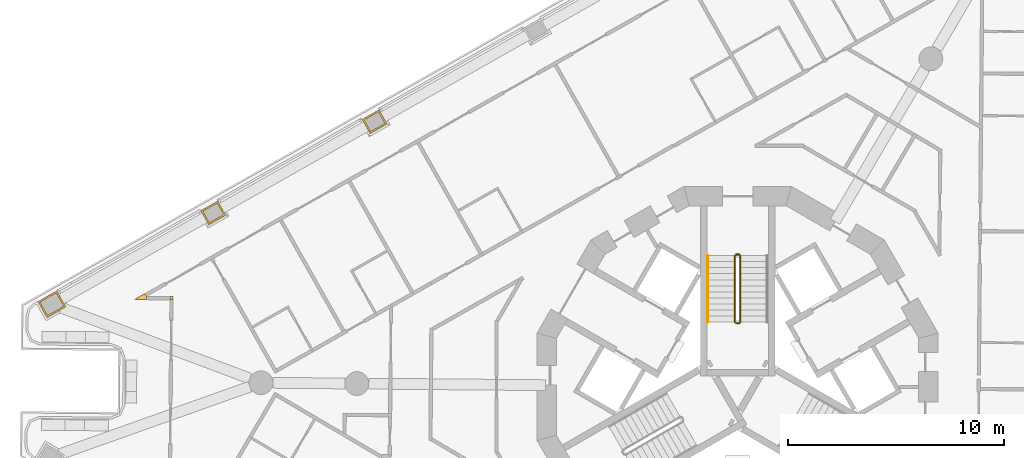
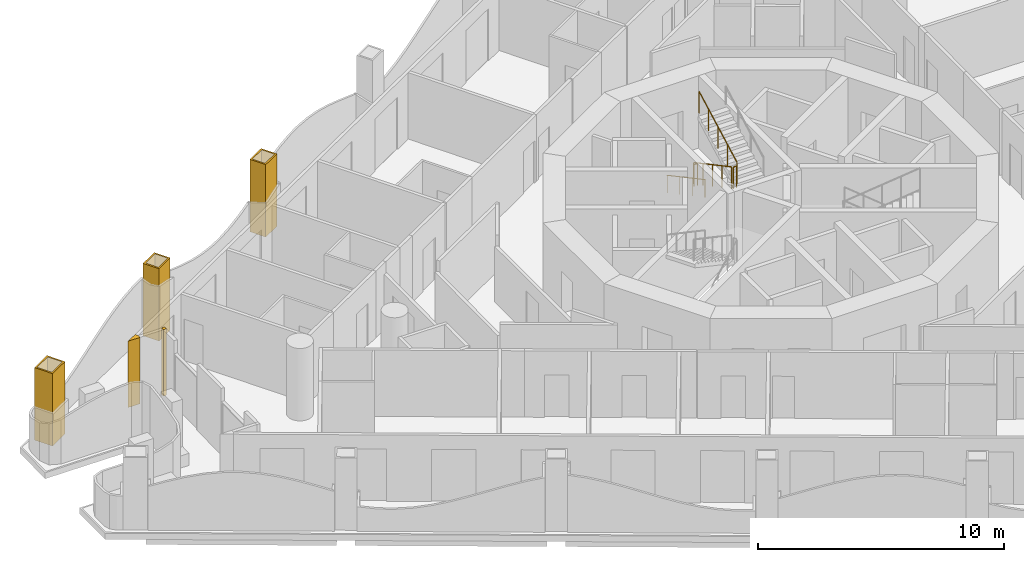
# One storey, part 15 of 17: 5 coverings, 5 railings.
"""IFC4 building model written with IfcOpenShell, lengths in metres."""

from ifc_helpers import new_model, si_unit, direction, frame, origin, origin_2d, place, context, subcontext, project, spatial, polyline, circle, outline, extrude, material, layer, layer_set, type_object, element, save


model = new_model("IFC4")

# Units and contexts
model_context = context("Model", 3, precision=1e-05, world=origin(), true_north=direction((0.0, 1.0)))
body_context = subcontext(model_context, "Body", "Model", "MODEL_VIEW")
ifc_project = project(units=[si_unit("LENGTHUNIT", "METRE"), si_unit("AREAUNIT", "SQUARE_METRE"), si_unit("VOLUMEUNIT", "CUBIC_METRE"), si_unit("PLANEANGLEUNIT", "RADIAN"), si_unit("MASSUNIT", "GRAM", prefix="KILO")], contexts=[model_context])

# Site, building, storey
site_placement = place(None, origin())
site = spatial("IfcSite", under=ifc_project, at=site_placement, CompositionType="ELEMENT")
building_placement = place(site_placement, origin())
building = spatial("IfcBuilding", under=site, at=building_placement, Name="Trine Commons Tower", CompositionType="ELEMENT")
storey_placement = place(building_placement, frame((0.0, 0.0, 182.699951171875)))
storey = spatial("IfcBuildingStorey", under=building, at=storey_placement, Name="L47", CompositionType="ELEMENT", Elevation=182.699951171875)

# Coverings
ifc_material_1 = material(Name="Aluminium-framed insulated wall panel", Category="aluminium")
ifc_layer_1 = layer(ifc_material_1, 0.14990234375)
ifc_layer_set_1 = layer_set([ifc_layer_1], Name="Aluminium-framed insulated wall panel")
covering_type_1 = type_object("IfcCoveringType", Name="Glazing corner post, aluminium", PredefinedType="CLADDING", material=ifc_layer_set_1)
covering_1_placement = place(storey_placement, origin())
element("IfcCovering", 1, at=covering_1_placement, inside=storey, type_object=covering_type_1, Name="Glazing corner post 5-03", PredefinedType="CLADDING", context=body_context, shape_type="SweptSolid", body=[
    extrude(outline(polyline([(53.89892578125, 66.517822265625), (53.900390625, 66.66796875), (53.750244140625, 66.669189453125), (53.7490234375, 66.519287109375), (53.89892578125, 66.517822265625)])), origin(), (0.0, 0.0, 1.0), 3.300048828125),
])
covering_2_placement = place(storey_placement, origin())
element("IfcCovering", 2, at=covering_2_placement, inside=storey, type_object=covering_type_1, Name="Glazing corner post 5-04", PredefinedType="CLADDING", context=body_context, shape_type="SweptSolid", body=[
    extrude(outline(polyline([(52.663330078125, 66.52880859375), (52.66455078125, 66.6787109375), (52.5908203125, 66.809326171875), (52.103515625, 66.53369140625), (52.663330078125, 66.52880859375)])), origin(), (0.0, 0.0, 1.0), 3.300048828125),
])
ifc_material_2 = material(Name="Limestone, honed", Category="masonry")
ifc_layer_2 = layer(ifc_material_2, 0.074951171875)
ifc_layer_set_2 = layer_set([ifc_layer_2], Name="Limestone, honed")
covering_type_2 = type_object("IfcCoveringType", Name="Limestone column cladding 75", PredefinedType="CLADDING", material=ifc_layer_set_2)
covering_3_placement = place(storey_placement, origin())
element("IfcCovering", 3, at=covering_3_placement, inside=storey, type_object=covering_type_2, Name="Limestone pier cladding 5-08", PredefinedType="CLADDING", context=body_context, shape_type="SweptSolid", body=[
    extrude(outline(polyline([(48.94091796875, 66.197509765625), (48.522216796875, 66.9375), (47.65185546875, 66.445068359375), (48.0703125, 65.705078125), (48.94091796875, 66.197509765625)]), holes=[polyline([(48.83837890625, 66.22607421875), (48.493896484375, 66.835205078125), (47.754150390625, 66.41650390625), (48.0986328125, 65.807373046875), (48.83837890625, 66.22607421875)])]), origin(), (0.0, 0.0, 1.0), 3.60009765625),
])
covering_4_placement = place(storey_placement, origin())
element("IfcCovering", 4, at=covering_4_placement, inside=storey, type_object=covering_type_2, Name="Limestone pier cladding 5-09", PredefinedType="CLADDING", context=body_context, shape_type="SweptSolid", body=[
    extrude(outline(polyline([(56.33203125, 70.43701171875), (55.962890625, 71.089599609375), (55.179443359375, 70.646484375), (55.548828125, 69.99365234375), (56.33203125, 70.43701171875)]), holes=[polyline([(56.22998046875, 70.46533203125), (55.9345703125, 70.987548828125), (55.28173828125, 70.6181640625), (55.5771484375, 70.095947265625), (56.22998046875, 70.46533203125)])]), origin(), (0.0, 0.0, 1.0), 3.60009765625),
])
covering_5_placement = place(storey_placement, origin())
element("IfcCovering", 5, at=covering_5_placement, inside=storey, type_object=covering_type_2, Name="Limestone pier cladding 5-10", PredefinedType="CLADDING", context=body_context, shape_type="SweptSolid", body=[
    extrude(outline(polyline([(63.79150390625, 74.6572265625), (63.422119140625, 75.31005859375), (62.638916015625, 74.86669921875), (63.00830078125, 74.214111328125), (63.79150390625, 74.6572265625)]), holes=[polyline([(63.689208984375, 74.685546875), (63.393798828125, 75.207763671875), (62.7412109375, 74.83837890625), (63.03662109375, 74.316162109375), (63.689208984375, 74.685546875)])]), origin(), (0.0, 0.0, 1.0), 3.60009765625),
])

# Railings
ifc_material_3 = material(Name="Stainless steel balustrade", Category="steel")
railing_type_1 = type_object("IfcRailingType", Name="Stair guard, steel balustrade 1100", PredefinedType="GUARDRAIL", material=ifc_material_3)
railing_1_placement = place(storey_placement, frame((79.875, 68.570556640625, 0.150146484375)))
element("IfcRailing", 6, at=railing_1_placement, inside=storey, type_object=railing_type_1, Name="L47 ST1B stair guard 1", PredefinedType="GUARDRAIL", context=body_context, shape_type="SweptSolid", body=[
    extrude(circle(Radius=0.02392578125, at=origin_2d()), frame((0.0, 0.0, 1.076171875), z_axis=(0.0, -0.881496589024, 0.472190389079), x_axis=(1.0, 0.0, 0.0)), (0.0, 0.0, 1.0), 3.494140625),
    extrude(circle(Radius=0.02099609375, at=origin_2d()), origin(), (0.0, 0.0, 1.0), 1.052001953125),
    extrude(circle(Radius=0.02099609375, at=origin_2d()), frame((0.0, -0.77001953125, 0.41259765625)), (0.0, 0.0, 1.0), 1.052001953125),
    extrude(circle(Radius=0.02099609375, at=origin_2d()), frame((0.0, -1.5400390625, 0.824951171875)), (0.0, 0.0, 1.0), 1.052001953125),
    extrude(circle(Radius=0.02099609375, at=origin_2d()), frame((0.0, -2.31005859375, 1.2373046875)), (0.0, 0.0, 1.0), 1.052001953125),
    extrude(circle(Radius=0.02099609375, at=origin_2d()), frame((0.0, -3.080078125, 1.64990234375)), (0.0, 0.0, 1.0), 1.052001953125),
])
railing_2_placement = place(storey_placement, frame((79.925048828125, 65.440673828125, 1.800048828125)))
element("IfcRailing", 7, at=railing_2_placement, inside=storey, type_object=railing_type_1, Name="L47 ST1B stair guard 2", PredefinedType="GUARDRAIL", context=body_context, shape_type="SweptSolid", body=[
    extrude(circle(Radius=0.02392578125, at=origin_2d()), frame((0.0, 0.0, 1.076171875), z_axis=(1.0, 0.0, 0.0), x_axis=(0.0, 1.0, 0.0)), (0.0, 0.0, 1.0), 0.14990234375),
    extrude(circle(Radius=0.02099609375, at=origin_2d()), origin(), (0.0, 0.0, 1.0), 1.052001953125),
    extrude(circle(Radius=0.02099609375, at=origin_2d()), frame((0.14990234375, 0.0, 0.0)), (0.0, 0.0, 1.0), 1.052001953125),
])
railing_3_placement = place(storey_placement, frame((80.125, 65.490478515625, 1.949951171875)))
element("IfcRailing", 8, at=railing_3_placement, inside=storey, type_object=railing_type_1, Name="L47 ST1B stair guard 3", PredefinedType="GUARDRAIL", context=body_context, shape_type="SweptSolid", body=[
    extrude(circle(Radius=0.02392578125, at=origin_2d()), frame((0.0, 0.0, 1.076171875), z_axis=(0.0, 0.881467505477, 0.472244678941), x_axis=(-1.0, 0.0, 0.0)), (0.0, 0.0, 1.0), 3.494140625),
    extrude(circle(Radius=0.02099609375, at=origin_2d()), origin(), (0.0, 0.0, 1.0), 1.052001953125),
    extrude(circle(Radius=0.02099609375, at=origin_2d()), frame((0.0, 0.77001953125, 0.41259765625)), (0.0, 0.0, 1.0), 1.052001953125),
    extrude(circle(Radius=0.02099609375, at=origin_2d()), frame((0.0, 1.5400390625, 0.8251953125)), (0.0, 0.0, 1.0), 1.052001953125),
    extrude(circle(Radius=0.02099609375, at=origin_2d()), frame((0.0, 2.31005859375, 1.237548828125)), (0.0, 0.0, 1.0), 1.052001953125),
    extrude(circle(Radius=0.02099609375, at=origin_2d()), frame((0.0, 3.080078125, 1.650146484375)), (0.0, 0.0, 1.0), 1.052001953125),
])
railing_4_placement = place(storey_placement, frame((79.925048828125, 68.62060546875, 0.0)))
element("IfcRailing", 9, at=railing_4_placement, inside=storey, type_object=railing_type_1, Name="L47 ST1B stair guard 4", PredefinedType="GUARDRAIL", context=body_context, shape_type="SweptSolid", body=[
    extrude(circle(Radius=0.02392578125, at=origin_2d()), frame((0.0, 0.0, 1.076171875), z_axis=(1.0, 0.0, 0.0), x_axis=(0.0, 1.0, 0.0)), (0.0, 0.0, 1.0), 0.14990234375),
    extrude(circle(Radius=0.02099609375, at=origin_2d()), origin(), (0.0, 0.0, 1.0), 1.052001953125),
    extrude(circle(Radius=0.02099609375, at=origin_2d()), frame((0.14990234375, 0.0, 0.0)), (0.0, 0.0, 1.0), 1.052001953125),
])
ifc_material_4 = material(Name="Stainless steel handrail", Category="steel")
railing_type_2 = type_object("IfcRailingType", Name="Stair handrail, steel 900", PredefinedType="HANDRAIL", material=ifc_material_4)
railing_5_placement = place(storey_placement, frame((78.625, 68.570556640625, 0.150146484375)))
element("IfcRailing", 10, at=railing_5_placement, inside=storey, type_object=railing_type_2, Name="L47 ST1B stair handrail 1", PredefinedType="HANDRAIL", context=body_context, shape_type="SweptSolid", body=[
    extrude(circle(Radius=0.02099609375, at=origin_2d()), frame((0.0, 0.0, 0.87890625), z_axis=(0.0, -0.881496589024, 0.472190389079), x_axis=(1.0, 0.0, 0.0)), (0.0, 0.0, 1.0), 3.494140625),
    extrude(circle(Radius=0.01513671875, at=origin_2d()), origin(), (0.0, 0.0, 1.0), 0.85791015625),
    extrude(circle(Radius=0.01513671875, at=origin_2d()), frame((0.0, -1.026611328125, 0.550048828125)), (0.0, 0.0, 1.0), 0.85791015625),
    extrude(circle(Radius=0.01513671875, at=origin_2d()), frame((0.0, -2.053466796875, 1.099853515625)), (0.0, 0.0, 1.0), 0.85791015625),
    extrude(circle(Radius=0.01513671875, at=origin_2d()), frame((0.0, -3.080078125, 1.64990234375)), (0.0, 0.0, 1.0), 0.85791015625),
])

save(model, "model.ifc")
